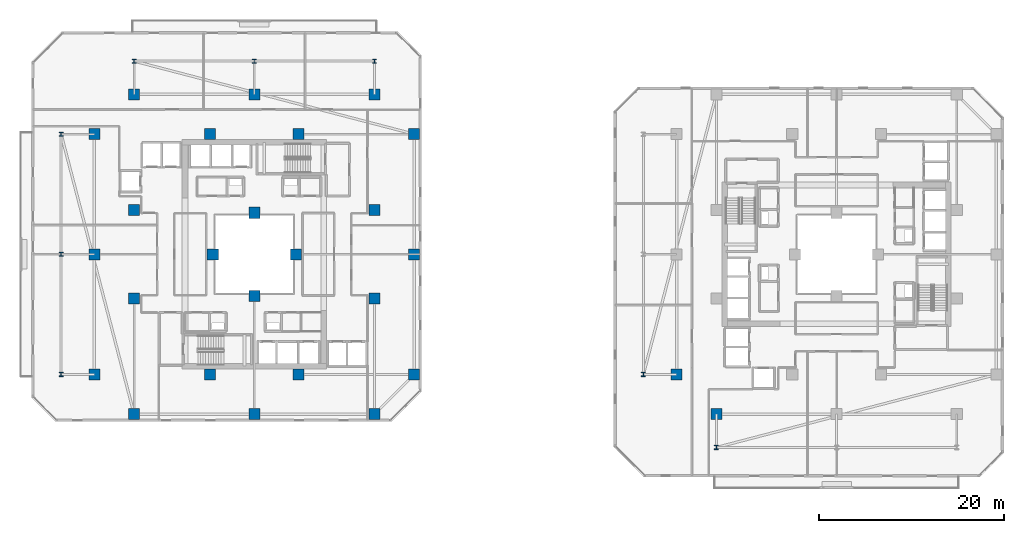
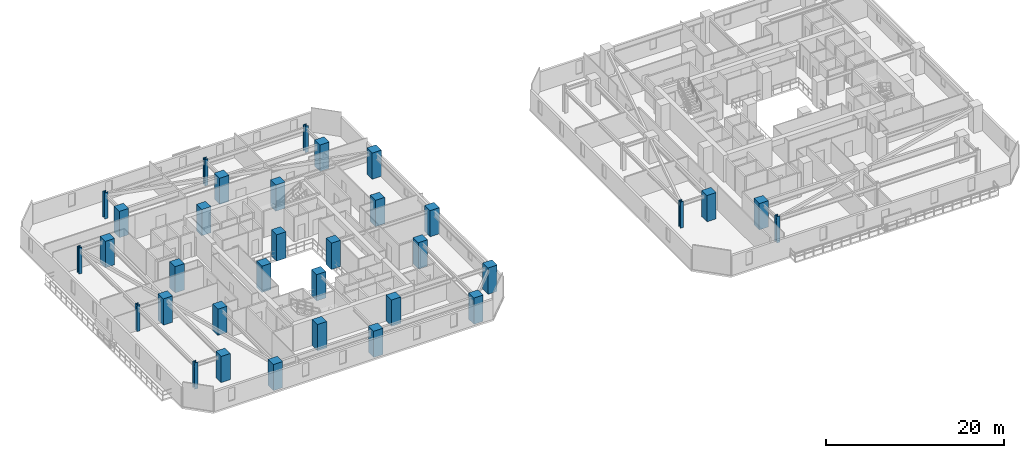
# One storey, part 1 of 33: 34 columns.
"""IFC4 building model written with IfcOpenShell, lengths in metres."""

from ifc_helpers import new_model, si_unit, direction, frame, origin, origin_2d, place, context, subcontext, project, spatial, rectangle, i_section, extrude, material, material_profile, profile_set, type_object, element, save


model = new_model("IFC4")

# Units and contexts
model_context = context("Model", 3, precision=1e-05, world=origin(), true_north=direction((0.0, 1.0)))
body_context = subcontext(model_context, "Body", "Model", "MODEL_VIEW")
ifc_project = project(units=[si_unit("LENGTHUNIT", "METRE"), si_unit("AREAUNIT", "SQUARE_METRE"), si_unit("VOLUMEUNIT", "CUBIC_METRE"), si_unit("PLANEANGLEUNIT", "RADIAN"), si_unit("MASSUNIT", "GRAM", prefix="KILO")], contexts=[model_context])

# Site, building, storey
site_placement = place(None, origin())
site = spatial("IfcSite", under=ifc_project, at=site_placement, CompositionType="ELEMENT")
building_placement = place(site_placement, origin())
building = spatial("IfcBuilding", under=site, at=building_placement, Name="Thornwick Lancets Civic Towers", CompositionType="ELEMENT")
storey_placement = place(building_placement, frame((0.0, 0.0, 108.89990234375)))
storey = spatial("IfcBuildingStorey", under=building, at=storey_placement, Name="L28", CompositionType="ELEMENT", Elevation=108.89990234375)

# Columns
ifc_material_1 = material(Name="Concrete C60/75", Category="concrete")
ifc_material_profile_1 = material_profile(ifc_material_1, rectangle(XDim=1.199951171875, YDim=1.199951171875, at=origin_2d()), Name="RC 1200x1200")
ifc_profile_set_1 = profile_set([ifc_material_profile_1], Name="Concrete C60/75")
column_type_1 = type_object("IfcColumnType", Name="COL_RC_1200", PredefinedType="COLUMN", material=ifc_profile_set_1)
for number, where, z_axis, x_axis, name in (
    (1, (12.5, 9.699951171875, 0.0), (0.0, 0.0, 1.0), (1.0, 0.0, 0.0), "L28 Spine Mega-Column A01"),
    (2, (25.5, 9.699951171875, 0.0), (0.0, 0.0, 1.0), (1.0, 0.0, 0.0), "L28 Spine Mega-Column A02"),
    (3, (38.5, 9.699951171875, 0.0), (0.0, 0.0, 1.0), (1.0, 0.0, 0.0), "L28 Spine Mega-Column A03"),
    (4, (42.800048828125, 14.0, 0.0), (0.0, 0.0, 1.0), (1.0, 0.0, 0.0), "L28 Spine Mega-Column A04"),
    (5, (42.800048828125, 27.0, 0.0), (0.0, 0.0, 1.0), (1.0, 0.0, 0.0), "L28 Spine Mega-Column A05"),
    (6, (42.800048828125, 40.0, 0.0), (0.0, 0.0, 1.0), (1.0, 0.0, 0.0), "L28 Spine Mega-Column A06"),
    (7, (12.5, 44.300048828125, 0.0), (0.0, 0.0, 1.0), (1.0, 0.0, 0.0), "L28 Spine Mega-Column A07"),
    (8, (25.5, 44.300048828125, 0.0), (0.0, 0.0, 1.0), (1.0, 0.0, 0.0), "L28 Spine Mega-Column A08"),
    (9, (38.5, 44.300048828125, 0.0), (0.0, 0.0, 1.0), (1.0, 0.0, 0.0), "L28 Spine Mega-Column A09"),
    (10, (8.199951171875, 14.0, 0.0), (0.0, 0.0, 1.0), (1.0, 0.0, 0.0), "L28 Spine Mega-Column A10"),
    (11, (8.199951171875, 27.0, 0.0), (0.0, 0.0, 1.0), (1.0, 0.0, 0.0), "L28 Spine Mega-Column A11"),
    (12, (8.199951171875, 40.0, 0.0), (0.0, 0.0, 1.0), (1.0, 0.0, 0.0), "L28 Spine Mega-Column A12"),
    (13, (12.5, 22.199951171875, 0.0), (0.0, 0.0, 1.0), (1.0, 0.0, 0.0), "L28 Spine Mega-Column A13"),
    (14, (38.5, 22.199951171875, 0.0), (0.0, 0.0, 1.0), (1.0, 0.0, 0.0), "L28 Spine Mega-Column A14"),
    (15, (12.5, 31.800048828125, 0.0), (0.0, 0.0, 1.0), (1.0, 0.0, 0.0), "L28 Spine Mega-Column A15"),
    (16, (38.5, 31.800048828125, 0.0), (0.0, 0.0, 1.0), (1.0, 0.0, 0.0), "L28 Spine Mega-Column A16"),
    (17, (20.699951171875, 14.0, 0.0), (0.0, 0.0, 1.0), (1.0, 0.0, 0.0), "L28 Spine Mega-Column A17"),
    (18, (30.300048828125, 14.0, 0.0), (0.0, 0.0, 1.0), (1.0, 0.0, 0.0), "L28 Spine Mega-Column A18"),
    (19, (20.699951171875, 40.0, 0.0), (0.0, 0.0, 1.0), (1.0, 0.0, 0.0), "L28 Spine Mega-Column A19"),
    (20, (30.300048828125, 40.0, 0.0), (0.0, 0.0, 1.0), (1.0, 0.0, 0.0), "L28 Spine Mega-Column A20"),
    (21, (25.5, 22.5, 0.0), (0.0, 0.0, 1.0), (1.0, 0.0, 0.0), "L28 Spine Mega-Column A21"),
    (22, (25.5, 31.5, 0.0), (0.0, 0.0, 1.0), (1.0, 0.0, 0.0), "L28 Spine Mega-Column A22"),
    (23, (21.0, 27.0, 0.0), (0.0, 0.0, 1.0), (1.0, 0.0, 0.0), "L28 Spine Mega-Column A23"),
    (24, (30.0, 27.0, 0.0), (0.0, 0.0, 1.0), (1.0, 0.0, 0.0), "L28 Spine Mega-Column A24"),
    (25, (71.199951171875, 14.0, 0.0), (0.0, 0.0, 1.0), (1.0, 0.0, 0.0), "L28 Spine Mega-Column B07"),
    (26, (75.5, 9.699951171875, 0.0), (0.0, 0.0, 1.0), (1.0, 0.0, 0.0), "L28 Spine Mega-Column B12"),
):
    element("IfcColumn", number, at=place(storey_placement, frame(where, z_axis=z_axis, x_axis=x_axis)), inside=storey, type_object=column_type_1, Name=name, PredefinedType="COLUMN", context=body_context, shape_type="SweptSolid", body=[
        extrude(rectangle(XDim=1.199951171875, YDim=1.199951171875, at=origin_2d()), origin(), (0.0, 0.0, 1.0), 3.60009765625),
    ])
ifc_material_2 = material(Name="Steel S460M", Category="steel")
ifc_material_profile_2 = material_profile(ifc_material_2, i_section(OverallWidth=0.41845703125, OverallDepth=0.45556640625, WebThickness=0.0419921875, FlangeThickness=0.0673828125, FilletRadius=0.01513671875, at=origin_2d()), Name="UKC 356x406x551")
ifc_profile_set_2 = profile_set([ifc_material_profile_2], Name="Steel S460M")
column_type_2 = type_object("IfcColumnType", Name="COL_UKC_551", PredefinedType="COLUMN", material=ifc_profile_set_2)
for number, where, z_axis, x_axis, name in (
    (27, (12.5, 47.89990234375, 0.0), (0.0, 0.0, 1.0), (1.0, 0.0, 0.0), "L28 Block Perimeter Column A07"),
    (28, (25.5, 47.89990234375, 0.0), (0.0, 0.0, 1.0), (1.0, 0.0, 0.0), "L28 Block Perimeter Column A08"),
    (29, (38.5, 47.89990234375, 0.0), (0.0, 0.0, 1.0), (1.0, 0.0, 0.0), "L28 Block Perimeter Column A09"),
    (30, (4.60009765625, 14.0, 0.0), (0.0, 0.0, 1.0), (1.0, 0.0, 0.0), "L28 Block Perimeter Column A10"),
    (31, (4.60009765625, 27.0, 0.0), (0.0, 0.0, 1.0), (1.0, 0.0, 0.0), "L28 Block Perimeter Column A11"),
    (32, (4.60009765625, 40.0, 0.0), (0.0, 0.0, 1.0), (1.0, 0.0, 0.0), "L28 Block Perimeter Column A12"),
    (33, (67.60009765625, 14.0, 0.0), (0.0, 0.0, 1.0), (1.0, 0.0, 0.0), "L28 Block Perimeter Column B07"),
    (34, (75.5, 6.10009765625, 0.0), (0.0, 0.0, 1.0), (1.0, 0.0, 0.0), "L28 Block Perimeter Column B12"),
):
    element("IfcColumn", number, at=place(storey_placement, frame(where, z_axis=z_axis, x_axis=x_axis)), inside=storey, type_object=column_type_2, Name=name, PredefinedType="COLUMN", context=body_context, shape_type="SweptSolid", body=[
        extrude(i_section(OverallWidth=0.41845703125, OverallDepth=0.45556640625, WebThickness=0.0419921875, FlangeThickness=0.0673828125, FilletRadius=0.01513671875, at=origin_2d()), origin(), (0.0, 0.0, 1.0), 3.60009765625),
    ])

save(model, "model.ifc")
